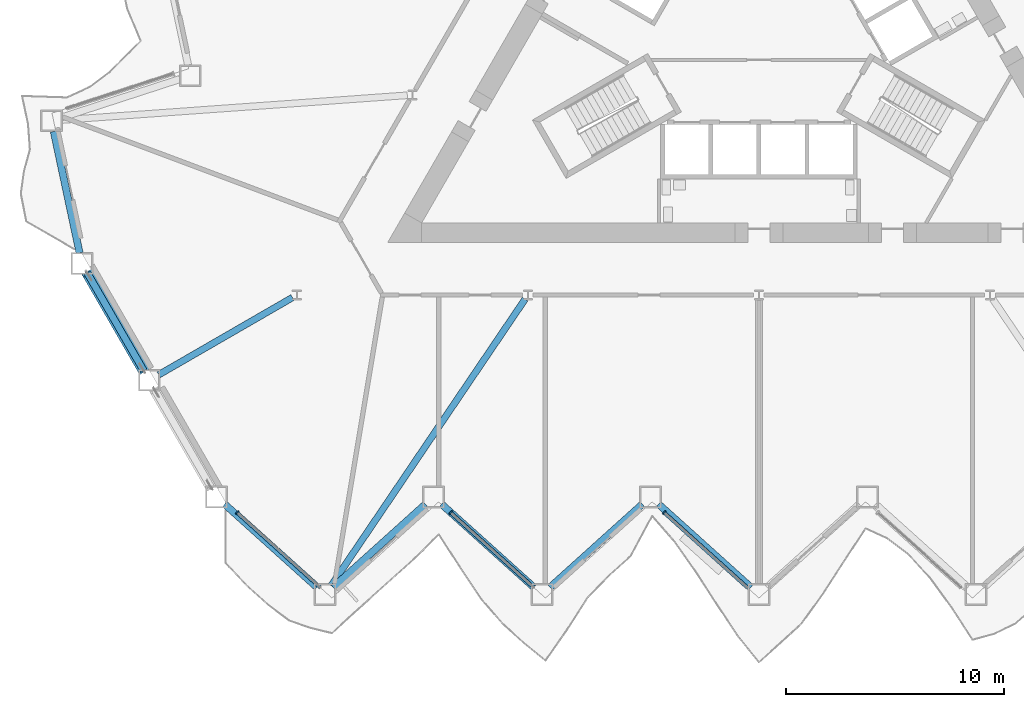
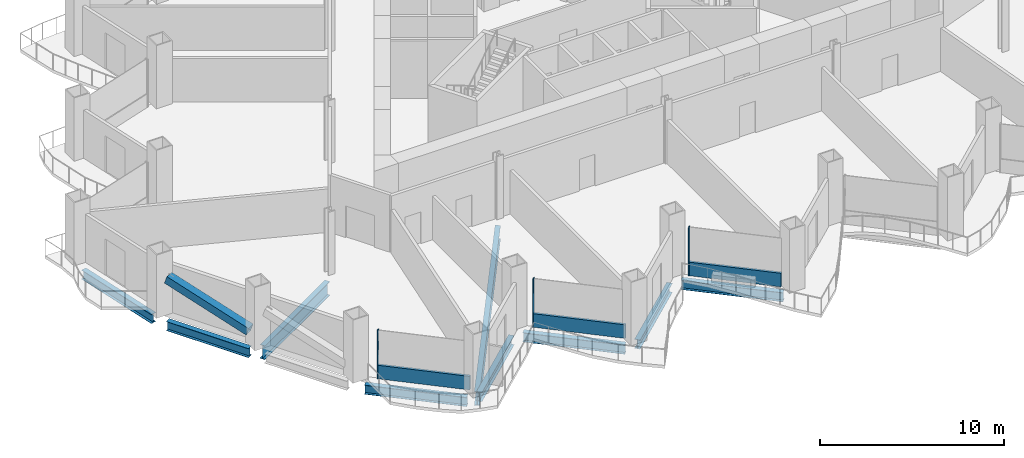
# One storey, part 2 of 20: 9 beams, 7 members, 3 elements without a shape of their own.
"""IFC4 building model written with IfcOpenShell, lengths in metres."""

from ifc_helpers import new_model, si_unit, direction, frame, origin, origin_2d, place, context, subcontext, project, spatial, rectangle, hollow_rectangle, i_section, extrude, material, layer, layer_set, material_profile, profile_set, type_object, element, aggregate, save


model = new_model("IFC4")

# Units and contexts
model_context = context("Model", 3, precision=1e-05, world=origin(), true_north=direction((0.0, 1.0)))
body_context = subcontext(model_context, "Body", "Model", "MODEL_VIEW")
ifc_project = project(units=[si_unit("LENGTHUNIT", "METRE"), si_unit("AREAUNIT", "SQUARE_METRE"), si_unit("VOLUMEUNIT", "CUBIC_METRE"), si_unit("PLANEANGLEUNIT", "RADIAN"), si_unit("MASSUNIT", "GRAM", prefix="KILO")], contexts=[model_context])

# Site, building, storey
site_placement = place(None, origin())
site = spatial("IfcSite", under=ifc_project, at=site_placement, CompositionType="ELEMENT")
building_placement = place(site_placement, origin())
building = spatial("IfcBuilding", under=site, at=building_placement, Name="Cormorant Prow Tower", CompositionType="ELEMENT")
storey_placement = place(building_placement, frame((0.0, 0.0, 55.199951171875)))
storey = spatial("IfcBuildingStorey", under=building, at=storey_placement, Name="L11", CompositionType="ELEMENT", Elevation=55.199951171875)

# Member
ifc_material_1 = material(Name="Structural steel ASTM A500 Gr C", Category="steel")
ifc_material_profile_1 = material_profile(ifc_material_1, hollow_rectangle(XDim=0.508056640625, YDim=0.508056640625, WallThickness=0.014892578125, at=origin_2d()), Name="HSS20x20x5/8")
ifc_profile_set_1 = profile_set([ifc_material_profile_1], Name="Structural steel ASTM A500 Gr C")
member_type_1 = type_object("IfcMemberType", Name="Chamfer brace HSS20x20x5/8", PredefinedType="BRACE", material=ifc_profile_set_1)
member_1_placement = place(storey_placement, frame((-28.174560546875, -15.667724609375, 0.767333984375), z_axis=(-0.475881936113, 0.824270433724, 0.306781086395), x_axis=(-0.866030326616, -0.499991473309, 0.0)))
element("IfcMember", 1, at=member_1_placement, inside=storey, type_object=member_type_1, Name="Chamfer brace BR1 at WSW00 L11", PredefinedType="BRACE", context=body_context, shape_type="SweptSolid", body=[
    extrude(hollow_rectangle(XDim=0.508056640625, YDim=0.508056640625, WallThickness=0.014892578125, at=origin_2d()), origin(), (0.0, 0.0, 1.0), 5.392333984375),
])

# Curtain wall, member
ifc_material_2 = material(Name="Aluminium 6063-T6", Category="aluminium")
ifc_layer = layer(ifc_material_2, 0.199951171875)
ifc_layer_set = layer_set([ifc_layer], Name="Aluminium 6063-T6")
curtain_wall_type = type_object("IfcCurtainWallType", Name="Office unitised curtain wall 200", PredefinedType="NOTDEFINED", material=ifc_layer_set)
curtain_wall_1_placement = place(storey_placement, origin())
curtain_wall_1 = element("IfcCurtainWall", 2, at=curtain_wall_1_placement, inside=storey, type_object=curtain_wall_type, Name="Office curtain wall S00", PredefinedType="NOTDEFINED")
ifc_material_3 = material(Name="Aluminium 6063-T6", Category="aluminium")
ifc_material_profile_2 = material_profile(ifc_material_3, rectangle(XDim=0.199951171875, YDim=0.06005859375, at=origin_2d()), Name="Office mullion 60x200")
ifc_profile_set_2 = profile_set([ifc_material_profile_2], Name="Aluminium 6063-T6")
member_type_2 = type_object("IfcMemberType", Name="Office mullion 60x200", PredefinedType="MULLION", material=ifc_profile_set_2)
member_2_placement = place(storey_placement, frame((-23.89404296875, -22.176513671875, 0.0), z_axis=(0.0, 0.0, 1.0), x_axis=(0.669130625166, 0.743144808544, 0.0)))
member_2 = element("IfcMember", 3, at=member_2_placement, type_object=member_type_2, Name="Office mullion S00", PredefinedType="MULLION", context=body_context, shape_type="SweptSolid", body=[
    extrude(rectangle(XDim=0.199951171875, YDim=0.06005859375, at=origin_2d()), origin(), (0.0, 0.0, 1.0), 3.18896484375),
])

curtain_wall_2_placement = place(storey_placement, origin())
curtain_wall_2 = element("IfcCurtainWall", 4, at=curtain_wall_2_placement, inside=storey, type_object=curtain_wall_type, Name="Office curtain wall S02", PredefinedType="NOTDEFINED")
member_3_placement = place(storey_placement, frame((-14.11865234375, -22.176513671875, 0.0), z_axis=(0.0, 0.0, 1.0), x_axis=(0.669130625166, 0.743144808544, 0.0)))
member_3 = element("IfcMember", 5, at=member_3_placement, type_object=member_type_2, Name="Office mullion S02", PredefinedType="MULLION", context=body_context, shape_type="SweptSolid", body=[
    extrude(rectangle(XDim=0.199951171875, YDim=0.06005859375, at=origin_2d()), origin(), (0.0, 0.0, 1.0), 3.18896484375),
])

curtain_wall_3_placement = place(storey_placement, origin())
curtain_wall_3 = element("IfcCurtainWall", 6, at=curtain_wall_3_placement, inside=storey, type_object=curtain_wall_type, Name="Office curtain wall S04", PredefinedType="NOTDEFINED")
member_4_placement = place(storey_placement, frame((-4.343017578125, -22.176513671875, 0.0), z_axis=(0.0, 0.0, 1.0), x_axis=(0.669130625166, 0.743144808544, 0.0)))
member_4 = element("IfcMember", 7, at=member_4_placement, type_object=member_type_2, Name="Office mullion S04", PredefinedType="MULLION", context=body_context, shape_type="SweptSolid", body=[
    extrude(rectangle(XDim=0.199951171875, YDim=0.06005859375, at=origin_2d()), origin(), (0.0, 0.0, 1.0), 3.18896484375),
])

# Member
ifc_material_4 = material(Name="Terracotta", Category="masonry")
ifc_material_profile_3 = material_profile(ifc_material_4, rectangle(XDim=0.159912109375, YDim=0.89990234375, at=origin_2d()), Name="Office terracotta spandrel rail 160x900")
ifc_profile_set_3 = profile_set([ifc_material_profile_3], Name="Terracotta")
member_type_3 = type_object("IfcMemberType", Name="Office terracotta spandrel rail 160x900", PredefinedType="USERDEFINED", material=ifc_profile_set_3)
member_5_placement = place(storey_placement, frame((-23.871826171875, -22.196533203125, 0.449951171875), z_axis=(0.743156371999, -0.669117782425, 0.0), x_axis=(0.669117782425, 0.743156371999, 0.0)))
member_5 = element("IfcMember", 8, at=member_5_placement, type_object=member_type_3, Name="Office spandrel rail S00", ObjectType="TRANSOM", PredefinedType="USERDEFINED", context=body_context, shape_type="SweptSolid", body=[
    extrude(rectangle(XDim=0.159912109375, YDim=0.89990234375, at=origin_2d()), origin(), (0.0, 0.0, 1.0), 5.111083984375),
])

aggregate(curtain_wall_1, [member_2, member_5])

member_6_placement = place(storey_placement, frame((-14.09619140625, -22.196533203125, 0.449951171875), z_axis=(0.743156371999, -0.669117782425, 0.0), x_axis=(0.669117782425, 0.743156371999, 0.0)))
member_6 = element("IfcMember", 9, at=member_6_placement, type_object=member_type_3, Name="Office spandrel rail S02", ObjectType="TRANSOM", PredefinedType="USERDEFINED", context=body_context, shape_type="SweptSolid", body=[
    extrude(rectangle(XDim=0.159912109375, YDim=0.89990234375, at=origin_2d()), origin(), (0.0, 0.0, 1.0), 5.111083984375),
])

aggregate(curtain_wall_2, [member_3, member_6])

member_7_placement = place(storey_placement, frame((-4.32080078125, -22.196533203125, 0.449951171875), z_axis=(0.743156371999, -0.669117782425, 0.0), x_axis=(0.669117782425, 0.743156371999, 0.0)))
member_7 = element("IfcMember", 10, at=member_7_placement, type_object=member_type_3, Name="Office spandrel rail S04", ObjectType="TRANSOM", PredefinedType="USERDEFINED", context=body_context, shape_type="SweptSolid", body=[
    extrude(rectangle(XDim=0.159912109375, YDim=0.89990234375, at=origin_2d()), origin(), (0.0, 0.0, 1.0), 5.111083984375),
])

aggregate(curtain_wall_3, [member_4, member_7])

# Beams
ifc_material_5 = material(Name="Structural steel ASTM A992 Gr 50", Category="steel")
ifc_material_profile_4 = material_profile(ifc_material_5, i_section(OverallWidth=0.3046875, OverallDepth=0.914794921875, WebThickness=0.0166015625, FlangeThickness=0.02587890625, at=origin_2d()), Name="W36x160")
ifc_profile_set_4 = profile_set([ifc_material_profile_4], Name="Structural steel ASTM A992 Gr 50")
beam_type_1 = type_object("IfcBeamType", Name="Radial floor beam W36x160", PredefinedType="BEAM", material=ifc_profile_set_4)
beam_1_placement = place(storey_placement, frame((-21.358154296875, -12.3310546875, -0.857421875), z_axis=(-0.866014253463, -0.500019312426, 0.0), x_axis=(0.500019312426, -0.866014253463, 0.0)))
element("IfcBeam", 11, at=beam_1_placement, inside=storey, type_object=beam_type_1, Name="Radial floor beam FB1 5 L11", PredefinedType="BEAM", context=body_context, shape_type="SweptSolid", body=[
    extrude(i_section(OverallWidth=0.3046875, OverallDepth=0.914794921875, WebThickness=0.0166015625, FlangeThickness=0.02587890625, at=origin_2d()), origin(), (0.0, 0.0, 1.0), 7.071533203125),
])
beam_2_placement = place(storey_placement, frame((-10.708740234375, -12.4072265625, -0.857421875), z_axis=(-0.560597160775, -0.828088656685, 0.0), x_axis=(0.828088656685, -0.560597160775, 0.0)))
element("IfcBeam", 12, at=beam_2_placement, inside=storey, type_object=beam_type_1, Name="Radial floor beam FB1 6 L11", PredefinedType="BEAM", context=body_context, shape_type="SweptSolid", body=[
    extrude(i_section(OverallWidth=0.3046875, OverallDepth=0.914794921875, WebThickness=0.0166015625, FlangeThickness=0.02587890625, at=origin_2d()), origin(), (0.0, 0.0, 1.0), 15.831787109375),
])
ifc_material_6 = material(Name="Structural steel ASTM A992 Gr 50", Category="steel")
ifc_material_profile_5 = material_profile(ifc_material_6, i_section(OverallWidth=0.32373046875, OverallDepth=0.611083984375, WebThickness=0.0126953125, FlangeThickness=0.01904296875, at=origin_2d()), Name="W24x104")
ifc_profile_set_5 = profile_set([ifc_material_profile_5], Name="Structural steel ASTM A992 Gr 50")
beam_type_2 = type_object("IfcBeamType", Name="Spandrel beam W24x104", PredefinedType="SPANDREL", material=ifc_profile_set_5)
for number, where, z_axis, x_axis, name in (
    (13, (-24.458740234375, -21.79443359375, -0.70556640625), (0.743129630386, -0.669147481833, 0.0), (0.669147481833, 0.743129630386, 0.0), "Spandrel beam SB1 S00-S01 L11"),
    (14, (-19.49267578125, -25.596923828125, -0.70556640625), (0.743129630386, 0.669147481833, 0.0), (-0.669147481833, 0.743129630386, 0.0), "Spandrel beam SB1 S01-S02 L11"),
    (15, (-14.526611328125, -21.79443359375, -0.70556640625), (0.743129630386, -0.669147481833, 0.0), (0.669147481833, 0.743129630386, 0.0), "Spandrel beam SB1 S02-S03 L11"),
    (16, (-9.560546875, -25.596923828125, -0.70556640625), (0.743129630386, 0.669147481833, 0.0), (-0.669147481833, 0.743129630386, 0.0), "Spandrel beam SB1 S03-S04 L11"),
    (17, (-4.594482421875, -21.79443359375, -0.70556640625), (0.743129630386, -0.669147481833, 0.0), (0.669147481833, 0.743129630386, 0.0), "Spandrel beam SB1 S04-S05 L11"),
    (18, (-32.285400390625, -4.726318359375, -0.70556640625), (0.207900376723, -0.97815000555, 0.0), (0.97815000555, 0.207900376723, 0.0), "Spandrel beam SB1 WNW09-WSW00 L11"),
):
    element("IfcBeam", number, at=place(storey_placement, frame(where, z_axis=z_axis, x_axis=x_axis)), inside=storey, type_object=beam_type_2, Name=name, PredefinedType="SPANDREL", context=body_context, shape_type="SweptSolid", body=[
        extrude(i_section(OverallWidth=0.32373046875, OverallDepth=0.611083984375, WebThickness=0.0126953125, FlangeThickness=0.01904296875, at=origin_2d()), origin(), (0.0, 0.0, 1.0), 5.6826171875),
    ])
beam_3_placement = place(storey_placement, frame((-30.75, -11.206787109375, -0.70556640625), z_axis=(0.49998408811, -0.866034590324, 0.0), x_axis=(0.866034590324, 0.49998408811, 0.0)))
element("IfcBeam", 19, at=beam_3_placement, inside=storey, type_object=beam_type_2, Name="Spandrel beam SB1 WSW00-WSW01 L11", PredefinedType="SPANDREL", context=body_context, shape_type="SweptSolid", body=[
    extrude(i_section(OverallWidth=0.32373046875, OverallDepth=0.611083984375, WebThickness=0.0126953125, FlangeThickness=0.01904296875, at=origin_2d()), origin(), (0.0, 0.0, 1.0), 5.169677734375),
])

save(model, "model.ifc")
